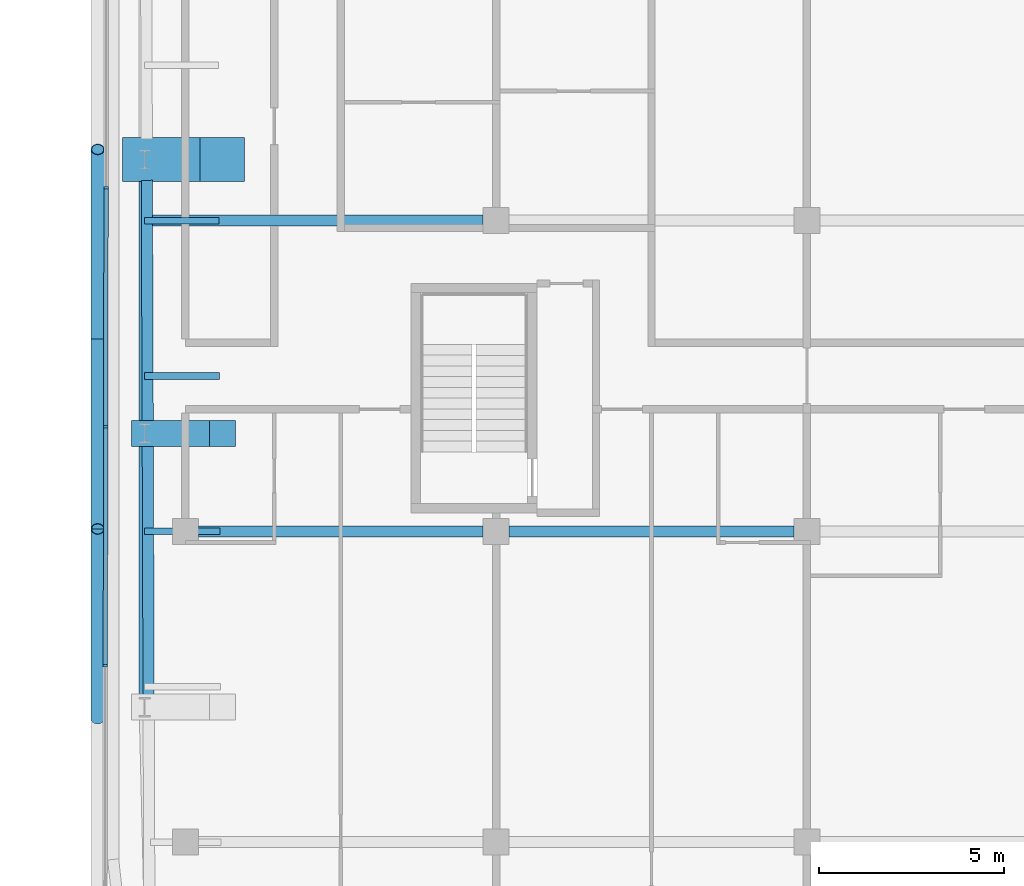
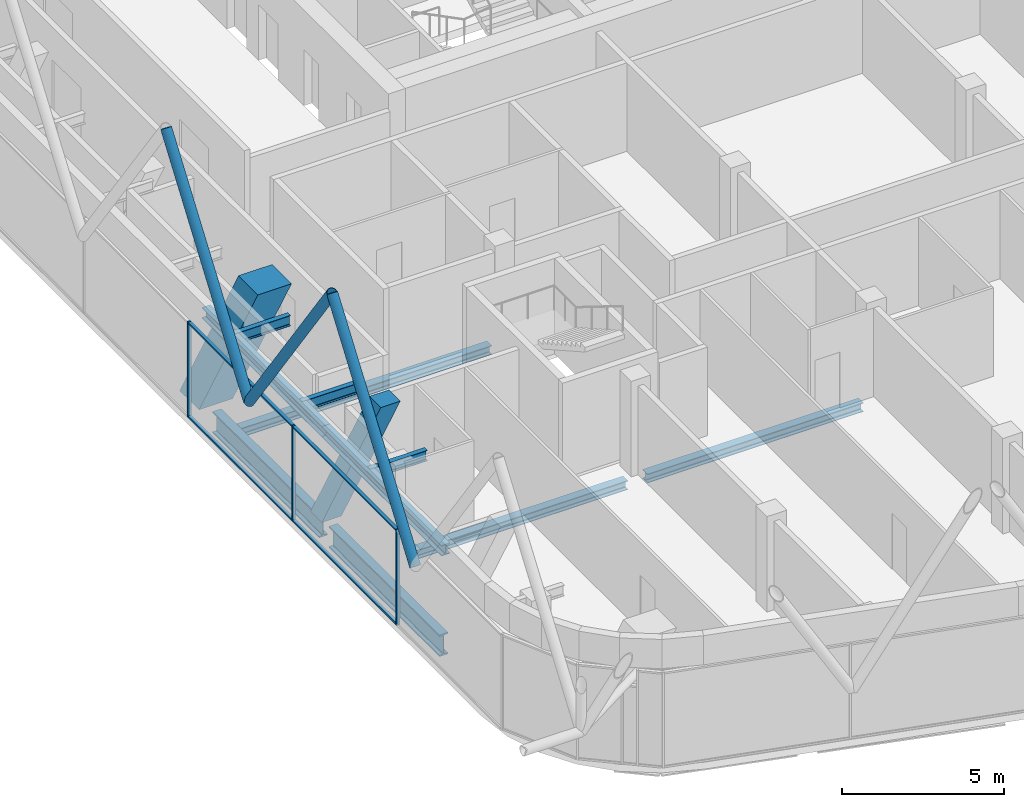
# One storey, part 4 of 25: 12 members, 10 beams, 1 element without a shape of its own.
"""IFC4 building model written with IfcOpenShell, lengths in metres."""

from ifc_helpers import new_model, si_unit, direction, frame, origin, origin_2d, place, context, subcontext, project, spatial, rectangle, hollow_circle, i_section, extrude, material, layer, layer_set, material_profile, profile_set, type_object, element, aggregate, save


model = new_model("IFC4")

# Units and contexts
model_context = context("Model", 3, precision=1e-05, world=origin(), true_north=direction((0.0, 1.0)))
body_context = subcontext(model_context, "Body", "Model", "MODEL_VIEW")
ifc_project = project(units=[si_unit("LENGTHUNIT", "METRE"), si_unit("AREAUNIT", "SQUARE_METRE"), si_unit("VOLUMEUNIT", "CUBIC_METRE"), si_unit("PLANEANGLEUNIT", "RADIAN"), si_unit("MASSUNIT", "GRAM", prefix="KILO")], contexts=[model_context])

# Site, building, storey
site_placement = place(None, origin())
site = spatial("IfcSite", under=ifc_project, at=site_placement, CompositionType="ELEMENT")
building_placement = place(site_placement, origin())
building = spatial("IfcBuilding", under=site, at=building_placement, Name="Marenta Gate Hotel Tower", CompositionType="ELEMENT")
storey_placement = place(building_placement, frame((0.0, 0.0, 277.699951171875)))
storey = spatial("IfcBuildingStorey", under=building, at=storey_placement, Name="L64", CompositionType="ELEMENT", Elevation=277.699951171875)

# Members
ifc_material_1 = material(Name="Steel S355J2W", Category="steel")
ifc_material_profile_1 = material_profile(ifc_material_1, hollow_circle(Radius=0.177734375, WallThickness=0.01611328125, at=origin_2d()), Name="CHS 355.6x16")
ifc_profile_set_1 = profile_set([ifc_material_profile_1], Name="Steel S355J2W")
member_type_1 = type_object("IfcMemberType", Name="Diagrid diagonal C CHS 355.6x16", PredefinedType="BRACE", material=ifc_profile_set_1)
member_1_placement = place(storey_placement, frame((-23.3701171875, -21.864501953125, 3.14013671875), z_axis=(0.0, 0.580213650922, 0.81446431431), x_axis=(-1.0, 0.0, 0.0)))
element("IfcMember", 1, at=member_1_placement, inside=storey, type_object=member_type_1, Name="L64-DG-27", PredefinedType="BRACE", context=body_context, shape_type="SweptSolid", body=[
    extrude(hollow_circle(Radius=0.177734375, WallThickness=0.01611328125, at=origin_2d()), origin(), (0.0, 0.0, 1.0), 8.840087890625),
])
for number, where, z_axis, x_axis, name in (
    (2, (-23.3701171875, -11.60595703125, 3.14013671875), (0.0, -0.580231970533, 0.81445126335), (1.0, 0.0, 0.0), "L64-DG-28"),
    (3, (-23.3701171875, -11.60595703125, 3.14013671875), (0.0, 0.580231970533, 0.81445126335), (-1.0, 0.0, 0.0), "L64-DG-29"),
):
    element("IfcMember", number, at=place(storey_placement, frame(where, z_axis=z_axis, x_axis=x_axis)), inside=storey, type_object=member_type_1, Name=name, PredefinedType="BRACE", context=body_context, shape_type="SweptSolid", body=[
        extrude(hollow_circle(Radius=0.177734375, WallThickness=0.01611328125, at=origin_2d()), origin(), (0.0, 0.0, 1.0), 8.84033203125),
    ])

# Beams
ifc_material_2 = material(Name="Steel S355", Category="steel")
ifc_material_profile_2 = material_profile(ifc_material_2, i_section(OverallWidth=0.302978515625, OverallDepth=0.81396484375, WebThickness=0.030029296875, FlangeThickness=0.052001953125, FilletRadius=0.030029296875, at=origin_2d()), Name="HEM 800")
ifc_profile_set_2 = profile_set([ifc_material_profile_2], Name="Steel S355")
beam_type_1 = type_object("IfcBeamType", Name="Edge beam HEM 800", PredefinedType="SPANDREL", material=ifc_profile_set_2)
beam_1_placement = place(storey_placement, frame((-21.99365234375, -21.241943359375, -0.6669921875), z_axis=(-0.003312313063, 0.999994514276, 0.0), x_axis=(-0.999994514276, -0.003312313063, 0.0)))
element("IfcBeam", 4, at=beam_1_placement, inside=storey, type_object=beam_type_1, Name="L64-EB-6", PredefinedType="SPANDREL", context=body_context, shape_type="SweptSolid", body=[
    extrude(i_section(OverallWidth=0.302978515625, OverallDepth=0.81396484375, WebThickness=0.030029296875, FlangeThickness=0.052001953125, FilletRadius=0.030029296875, at=origin_2d()), origin(), (0.0, 0.0, 1.0), 6.781005859375),
])
beam_2_placement = place(storey_placement, frame((-22.01806640625, -13.8408203125, -0.6669921875), z_axis=(-0.003364466939, 0.999994340165, 0.0), x_axis=(-0.999994340165, -0.003364466939, 0.0)))
element("IfcBeam", 5, at=beam_2_placement, inside=storey, type_object=beam_type_1, Name="L64-EB-7", PredefinedType="SPANDREL", context=body_context, shape_type="SweptSolid", body=[
    extrude(i_section(OverallWidth=0.302978515625, OverallDepth=0.81396484375, WebThickness=0.030029296875, FlangeThickness=0.052001953125, FilletRadius=0.030029296875, at=origin_2d()), origin(), (0.0, 0.0, 1.0), 6.53076171875),
])

# Member
ifc_material_3 = material(Name="Concrete C50", Category="concrete")
ifc_material_profile_3 = material_profile(ifc_material_3, rectangle(XDim=0.699951171875, YDim=0.699951171875, at=origin_2d()), Name="700 x 700")
ifc_profile_set_3 = profile_set([ifc_material_profile_3], Name="Concrete C50")
member_type_2 = type_object("IfcMemberType", Name="Edge column raked 700 x 700 C50", PredefinedType="STRUT", material=ifc_profile_set_3)
member_2_placement = place(storey_placement, frame((-22.10009765625, -14.15087890625, 0.0), z_axis=(0.0, 0.0, 1.0), x_axis=(1.0, 0.0, 0.0)))
element("IfcMember", 6, at=member_2_placement, inside=storey, type_object=member_type_2, Name="L64-EC-SW-W-2", PredefinedType="STRUT", context=body_context, shape_type="SweptSolid", body=[
    extrude(rectangle(XDim=0.699951171875, YDim=0.699951171875, at=origin_2d()), origin(), (0.503878309678, 0.0, 0.863774651768), 4.16796875),
])

# Beams
ifc_material_4 = material(Name="Steel S355", Category="steel")
ifc_material_profile_4 = material_profile(ifc_material_4, i_section(OverallWidth=0.300048828125, OverallDepth=0.340087890625, WebThickness=0.011962890625, FlangeThickness=0.021484375, FilletRadius=0.027099609375, at=origin_2d()), Name="HEB 340")
ifc_profile_set_4 = profile_set([ifc_material_profile_4], Name="Steel S355")
beam_type_2 = type_object("IfcBeamType", Name="Girder HEB 340", PredefinedType="BEAM", material=ifc_profile_set_4)
for number, where, z_axis, x_axis, name in (
    (7, (-20.64990234375, -16.800048828125, -0.429931640625), (1.0, 0.0, 0.0), (0.0, 1.0, 0.0), "L64-GD-6"),
    (8, (-12.25, -16.800048828125, -0.429931640625), (1.0, 0.0, 0.0), (0.0, 1.0, 0.0), "L64-GD-7"),
):
    element("IfcBeam", number, at=place(storey_placement, frame(where, z_axis=z_axis, x_axis=x_axis)), inside=storey, type_object=beam_type_2, Name=name, PredefinedType="BEAM", context=body_context, shape_type="SweptSolid", body=[
        extrude(i_section(OverallWidth=0.300048828125, OverallDepth=0.340087890625, WebThickness=0.011962890625, FlangeThickness=0.021484375, FilletRadius=0.027099609375, at=origin_2d()), origin(), (0.0, 0.0, 1.0), 7.699951171875),
    ])
beam_3_placement = place(storey_placement, frame((-21.884765625, -8.39990234375, -0.429931640625), z_axis=(1.0, 0.0, 0.0), x_axis=(0.0, 1.0, 0.0)))
element("IfcBeam", 9, at=beam_3_placement, inside=storey, type_object=beam_type_2, Name="L64-GD-11", PredefinedType="BEAM", context=body_context, shape_type="SweptSolid", body=[
    extrude(i_section(OverallWidth=0.300048828125, OverallDepth=0.340087890625, WebThickness=0.011962890625, FlangeThickness=0.021484375, FilletRadius=0.027099609375, at=origin_2d()), origin(), (0.0, 0.0, 1.0), 8.934814453125),
])

# Member
ifc_material_5 = material(Name="Concrete C50", Category="concrete")
ifc_material_profile_5 = material_profile(ifc_material_5, rectangle(XDim=1.199951171875, YDim=1.199951171875, at=origin_2d()), Name="1200 x 1200")
ifc_profile_set_5 = profile_set([ifc_material_profile_5], Name="Concrete C50")
member_type_3 = type_object("IfcMemberType", Name="Mega column raked 1200 x 1200 C50", PredefinedType="STRUT", material=ifc_profile_set_5)
member_3_placement = place(storey_placement, frame((-22.10009765625, -6.75, 0.0), z_axis=(0.0, 0.0, 1.0), x_axis=(1.0, 0.0, 0.0)))
element("IfcMember", 10, at=member_3_placement, inside=storey, type_object=member_type_3, Name="L64-MC-W", PredefinedType="STRUT", context=body_context, shape_type="SweptSolid", body=[
    extrude(rectangle(XDim=1.199951171875, YDim=1.199951171875, at=origin_2d()), origin(), (0.503878309678, 0.0, 0.863774651768), 4.16796875),
])

# Curtain wall, members
ifc_material_6 = material(Name="Tinted insulated glass in bronze anodised frame", Category="glass")
ifc_layer = layer(ifc_material_6, 0.1201171875)
ifc_layer_set = layer_set([ifc_layer], Name="Tinted insulated glass in bronze anodised frame")
curtain_wall_type = type_object("IfcCurtainWallType", Name="Tower unitised curtain wall CW1", PredefinedType="NOTDEFINED", material=ifc_layer_set)
curtain_wall_placement = place(storey_placement, origin())
curtain_wall = element("IfcCurtainWall", 11, at=curtain_wall_placement, inside=storey, type_object=curtain_wall_type, Name="CW1 run G04", PredefinedType="NOTDEFINED")
ifc_material_7 = material(Name="Bronze anodised aluminium", Category="aluminium")
ifc_material_profile_6 = material_profile(ifc_material_7, rectangle(XDim=0.1201171875, YDim=0.06005859375, at=origin_2d()), Name="Mullion CW1 60x120 bronze anodised aluminium")
ifc_profile_set_6 = profile_set([ifc_material_profile_6], Name="Bronze anodised aluminium")
member_type_4 = type_object("IfcMemberType", Name="Mullion CW1 60x120 bronze anodised aluminium", PredefinedType="MULLION", material=ifc_profile_set_6)
member_4_placement = place(storey_placement, frame((-23.142578125, -7.513916015625, 0.0), z_axis=(0.0, 0.0, 1.0), x_axis=(0.99999877375, -0.001566045546, 0.0)))
member_4 = element("IfcMember", 12, at=member_4_placement, type_object=member_type_4, Name="CW1 mullion 4", PredefinedType="MULLION", context=body_context, shape_type="SweptSolid", body=[
    extrude(rectangle(XDim=0.1201171875, YDim=0.06005859375, at=origin_2d()), origin(), (0.0, 0.0, 1.0), 3.60009765625),
])
member_5_placement = place(storey_placement, frame((-23.15283203125, -13.973876953125, 0.0), z_axis=(0.0, 0.0, 1.0), x_axis=(0.99999877375, -0.001566045546, 0.0)))
member_5 = element("IfcMember", 13, at=member_5_placement, type_object=member_type_4, Name="CW1 mullion 5", PredefinedType="MULLION", context=body_context, shape_type="SweptSolid", body=[
    extrude(rectangle(XDim=0.1201171875, YDim=0.06005859375, at=origin_2d()), origin(), (0.0, 0.0, 1.0), 3.60009765625),
])
member_6_placement = place(storey_placement, frame((-23.162841796875, -20.433837890625, 0.0), z_axis=(0.0, 0.0, 1.0), x_axis=(0.99999877375, -0.001566045546, 0.0)))
member_6 = element("IfcMember", 14, at=member_6_placement, type_object=member_type_4, Name="CW1 mullion 6", PredefinedType="MULLION", context=body_context, shape_type="SweptSolid", body=[
    extrude(rectangle(XDim=0.1201171875, YDim=0.06005859375, at=origin_2d()), origin(), (0.0, 0.0, 1.0), 3.60009765625),
])

# Beams
ifc_material_8 = material(Name="Steel S355", Category="steel")
ifc_material_profile_7 = material_profile(ifc_material_8, i_section(OverallWidth=0.179931640625, OverallDepth=0.39990234375, WebThickness=0.008544921875, FlangeThickness=0.013427734375, FilletRadius=0.02099609375, at=origin_2d()), Name="IPE 400")
ifc_profile_set_7 = profile_set([ifc_material_profile_7], Name="Steel S355")
beam_type_3 = type_object("IfcBeamType", Name="Terrace beam IPE 400", PredefinedType="JOIST", material=ifc_profile_set_7)
beam_4_placement = place(storey_placement, frame((-22.10009765625, -16.800048828125, 3.14013671875), z_axis=(1.0, 0.0, 0.0), x_axis=(0.0, 1.0, 0.0)))
element("IfcBeam", 15, at=beam_4_placement, inside=storey, type_object=beam_type_3, Name="L64-TB-13", PredefinedType="JOIST", context=body_context, shape_type="SweptSolid", body=[
    extrude(i_section(OverallWidth=0.179931640625, OverallDepth=0.39990234375, WebThickness=0.008544921875, FlangeThickness=0.013427734375, FilletRadius=0.02099609375, at=origin_2d()), origin(), (0.0, 0.0, 1.0), 2.040771484375),
])
beam_5_placement = place(storey_placement, frame((-22.10009765625, -12.60009765625, 3.14013671875), z_axis=(1.0, 0.0, 0.0), x_axis=(0.0, 1.0, 0.0)))
element("IfcBeam", 16, at=beam_5_placement, inside=storey, type_object=beam_type_3, Name="L64-TB-14", PredefinedType="JOIST", context=body_context, shape_type="SweptSolid", body=[
    extrude(i_section(OverallWidth=0.179931640625, OverallDepth=0.39990234375, WebThickness=0.008544921875, FlangeThickness=0.013427734375, FilletRadius=0.02099609375, at=origin_2d()), origin(), (0.0, 0.0, 1.0), 2.02685546875),
])
beam_6_placement = place(storey_placement, frame((-22.10009765625, -8.39990234375, 3.14013671875), z_axis=(1.0, 0.0, 0.0), x_axis=(0.0, 1.0, 0.0)))
element("IfcBeam", 17, at=beam_6_placement, inside=storey, type_object=beam_type_3, Name="L64-TB-15", PredefinedType="JOIST", context=body_context, shape_type="SweptSolid", body=[
    extrude(i_section(OverallWidth=0.179931640625, OverallDepth=0.39990234375, WebThickness=0.008544921875, FlangeThickness=0.013427734375, FilletRadius=0.02099609375, at=origin_2d()), origin(), (0.0, 0.0, 1.0), 2.0126953125),
])
ifc_material_9 = material(Name="Steel S355", Category="steel")
ifc_material_profile_8 = material_profile(ifc_material_9, i_section(OverallWidth=0.300048828125, OverallDepth=0.39990234375, WebThickness=0.013427734375, FlangeThickness=0.02392578125, FilletRadius=0.027099609375, at=origin_2d()), Name="HEB 400")
ifc_profile_set_8 = profile_set([ifc_material_profile_8], Name="Steel S355")
beam_type_4 = type_object("IfcBeamType", Name="Terrace edge beam HEB 400", PredefinedType="SPANDREL", material=ifc_profile_set_8)
beam_7_placement = place(storey_placement, frame((-22.10009765625, -21.552001953125, 3.14013671875), z_axis=(0.0, 1.0, 0.0), x_axis=(-1.0, 0.0, 0.0)))
element("IfcBeam", 18, at=beam_7_placement, inside=storey, type_object=beam_type_4, Name="L64-TE-6", PredefinedType="SPANDREL", context=body_context, shape_type="SweptSolid", body=[
    extrude(i_section(OverallWidth=0.300048828125, OverallDepth=0.39990234375, WebThickness=0.013427734375, FlangeThickness=0.02392578125, FilletRadius=0.027099609375, at=origin_2d()), origin(), (0.0, 0.0, 1.0), 7.401123046875),
])
beam_8_placement = place(storey_placement, frame((-22.10009765625, -14.15087890625, 3.14013671875), z_axis=(0.0, 1.0, 0.0), x_axis=(-1.0, 0.0, 0.0)))
element("IfcBeam", 19, at=beam_8_placement, inside=storey, type_object=beam_type_4, Name="L64-TE-7", PredefinedType="SPANDREL", context=body_context, shape_type="SweptSolid", body=[
    extrude(i_section(OverallWidth=0.300048828125, OverallDepth=0.39990234375, WebThickness=0.013427734375, FlangeThickness=0.02392578125, FilletRadius=0.027099609375, at=origin_2d()), origin(), (0.0, 0.0, 1.0), 7.40087890625),
])

# Member
ifc_material_10 = material(Name="Bronze anodised aluminium", Category="aluminium")
ifc_material_profile_9 = material_profile(ifc_material_10, rectangle(XDim=0.1201171875, YDim=0.06005859375, at=origin_2d()), Name="Transom CW1 60x120 bronze anodised aluminium")
ifc_profile_set_9 = profile_set([ifc_material_profile_9], Name="Bronze anodised aluminium")
member_type_5 = type_object("IfcMemberType", Name="Transom CW1 60x120 bronze anodised aluminium", PredefinedType="USERDEFINED", material=ifc_profile_set_9)
member_7_placement = place(storey_placement, frame((-23.142578125, -7.543701171875, 0.030029296875), z_axis=(-0.001602134125, -0.999998716582, 0.0), x_axis=(0.999998716582, -0.001602134125, 0.0)))
member_7 = element("IfcMember", 20, at=member_7_placement, type_object=member_type_5, Name="CW1 transom 4.1", ObjectType="TRANSOM", PredefinedType="USERDEFINED", context=body_context, shape_type="SweptSolid", body=[
    extrude(rectangle(XDim=0.1201171875, YDim=0.06005859375, at=origin_2d()), origin(), (0.0, 0.0, 1.0), 6.400146484375),
])

member_8_placement = place(storey_placement, frame((-23.142578125, -7.543701171875, 3.570068359375), z_axis=(-0.001602134125, -0.999998716582, 0.0), x_axis=(0.999998716582, -0.001602134125, 0.0)))
member_8 = element("IfcMember", 21, at=member_8_placement, type_object=member_type_5, Name="CW1 transom 4.2", ObjectType="TRANSOM", PredefinedType="USERDEFINED", context=body_context, shape_type="SweptSolid", body=[
    extrude(rectangle(XDim=0.1201171875, YDim=0.06005859375, at=origin_2d()), origin(), (0.0, 0.0, 1.0), 6.400146484375),
])

member_9_placement = place(storey_placement, frame((-23.15283203125, -14.00390625, 0.030029296875), z_axis=(-0.001564047831, -0.999998776876, 0.0), x_axis=(0.999998776876, -0.001564047831, 0.0)))
member_9 = element("IfcMember", 22, at=member_9_placement, type_object=member_type_5, Name="CW1 transom 5.1", ObjectType="TRANSOM", PredefinedType="USERDEFINED", context=body_context, shape_type="SweptSolid", body=[
    extrude(rectangle(XDim=0.1201171875, YDim=0.06005859375, at=origin_2d()), origin(), (0.0, 0.0, 1.0), 6.39990234375),
])

member_10_placement = place(storey_placement, frame((-23.15283203125, -14.00390625, 3.570068359375), z_axis=(-0.001564047831, -0.999998776876, 0.0), x_axis=(0.999998776876, -0.001564047831, 0.0)))
member_10 = element("IfcMember", 23, at=member_10_placement, type_object=member_type_5, Name="CW1 transom 5.2", ObjectType="TRANSOM", PredefinedType="USERDEFINED", context=body_context, shape_type="SweptSolid", body=[
    extrude(rectangle(XDim=0.1201171875, YDim=0.06005859375, at=origin_2d()), origin(), (0.0, 0.0, 1.0), 6.39990234375),
])

aggregate(curtain_wall, [member_4, member_5, member_6, member_7, member_8, member_9, member_10])

save(model, "model.ifc")
